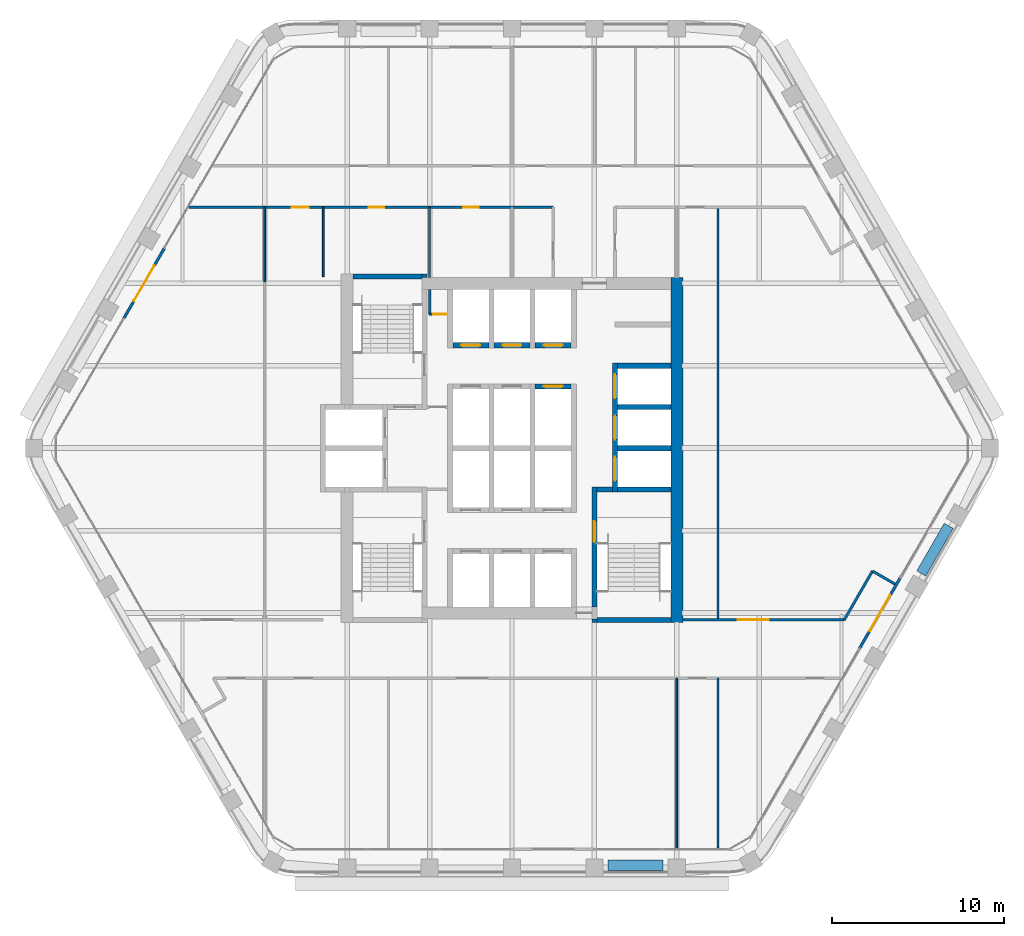
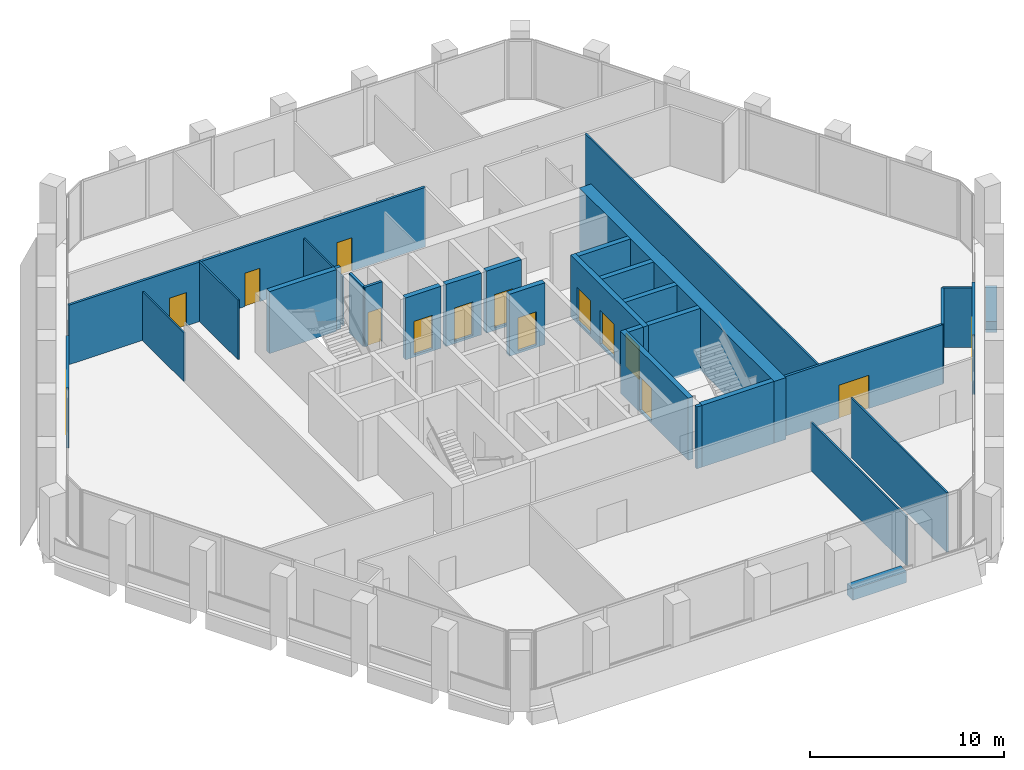
# One storey, part 10 of 15: 32 walls, 15 doors, 15 openings.
"""IFC4 building model written with IfcOpenShell, lengths in metres."""

from ifc_helpers import new_model, si_unit, direction, frame, frame_2d, origin, place, context, subcontext, project, spatial, rectangle, extrude, material, layer, layer_set, type_object, element, fill, save


model = new_model("IFC4")

# Units and contexts
model_context = context("Model", 3, precision=1e-05, world=origin(), true_north=direction((0.0, 1.0)))
body_context = subcontext(model_context, "Body", "Model", "MODEL_VIEW")
ifc_project = project(units=[si_unit("LENGTHUNIT", "METRE"), si_unit("AREAUNIT", "SQUARE_METRE"), si_unit("VOLUMEUNIT", "CUBIC_METRE"), si_unit("PLANEANGLEUNIT", "RADIAN"), si_unit("MASSUNIT", "GRAM", prefix="KILO")], contexts=[model_context])

# Site, building, storey
site_placement = place(None, origin())
site = spatial("IfcSite", under=ifc_project, at=site_placement, CompositionType="ELEMENT")
building_placement = place(site_placement, origin())
building = spatial("IfcBuilding", under=site, at=building_placement, Name="Kolab Exchange Tower", CompositionType="ELEMENT")
storey_placement = place(building_placement, frame((0.0, 0.0, 158.300048828125)))
storey = spatial("IfcBuildingStorey", under=building, at=storey_placement, Name="L32", CompositionType="ELEMENT", Elevation=158.300048828125)

# Wall
ifc_material_1 = material(Name="Concrete C60/75", Category="concrete")
ifc_layer_1 = layer(ifc_material_1, 0.699951171875)
ifc_layer_set_1 = layer_set([ifc_layer_1], Name="Concrete C60/75")
wall_type_1 = type_object("IfcWallType", Name="CORE WALL 700 C60/75", PredefinedType="SHEAR", material=ifc_layer_set_1)
wall_1_placement = place(storey_placement, frame((9.60009765625, -10.14990234375, -0.150146484375), z_axis=(0.0, 0.0, 1.0), x_axis=(0.0, 1.0, 0.0)))
element("IfcWall", 1, at=wall_1_placement, inside=storey, type_object=wall_type_1, Name="wall/L32/core/058", PredefinedType="SHEAR", context=body_context, shape_type="SweptSolid", body=[
    extrude(rectangle(XDim=20.099853515625, YDim=0.699951171875, at=frame_2d((10.0498046875, 0.0))), origin(), (0.0, 0.0, 1.0), 3.900146484375),
])

# Wall, opening, door
ifc_material_2 = material(Name="Aluminium EN AW-6063 T6", Category="aluminium")
ifc_layer_2 = layer(ifc_material_2, 0.159912109375)
ifc_layer_set_2 = layer_set([ifc_layer_2], Name="Aluminium EN AW-6063 T6")
wall_type_2 = type_object("IfcWallType", Name="DOOR SURROUND WALL 160 ALUMINIUM FRAMED", PredefinedType="PARTITIONING", material=ifc_layer_set_2)
wall_2_placement = place(storey_placement, frame((22.61669921875, -7.5498046875, 0.0), z_axis=(0.0, 0.0, 1.0), x_axis=(-0.5000167099, -0.866015756104, 0.0)))
wall_2 = element("IfcWall", 2, at=wall_2_placement, inside=storey, type_object=wall_type_2, Name="Door surround wall", PredefinedType="PARTITIONING", context=body_context, shape_type="SweptSolid", body=[
    extrude(rectangle(XDim=4.739990234375, YDim=0.159912109375, at=frame_2d((2.3701171875, 0.0))), origin(), (0.0, 0.0, 1.0), 3.75),
])
opening_1_placement = place(wall_2_placement, frame((1.169921875, 0.0, 0.0)))
opening_1 = element("IfcOpeningElement", 3, at=opening_1_placement, cuts=wall_2, Name="Opening GD1-066", PredefinedType="OPENING", context=body_context, shape_type="SweptSolid", body=[
    extrude(rectangle(XDim=2.39990234375, YDim=2.39990234375, at=frame_2d((1.199951171875, 1.199951171875))), frame((0.0, 0.08984375, 0.0), z_axis=(0.0, -1.0, 0.0), x_axis=(1.0, 0.0, 0.0)), (0.0, 0.0, 1.0), 0.179931640625),
])
door_type_1 = type_object("IfcDoorType", Name="LOGGIA SLIDING GLASS DOOR 2400 X 2400", OperationType="DOUBLE_DOOR_SINGLE_SWING", PredefinedType="DOOR", material=ifc_material_2)
door_1_placement = place(opening_1_placement, origin())
door_1 = element("IfcDoor", 4, at=door_1_placement, inside=storey, type_object=door_type_1, Name="Loggia door", OperationType="DOUBLE_DOOR_SLIDING", OverallHeight=2.39990234375, OverallWidth=2.39990234375, PredefinedType="DOOR", context=body_context, shape_type="SweptSolid", body=[
    extrude(rectangle(XDim=2.39990234375, YDim=2.39990234375, at=frame_2d((1.199951171875, 1.199951171875))), frame((0.0, 0.02490234375, 0.0), z_axis=(0.0, -1.0, 0.0), x_axis=(1.0, 0.0, 0.0)), (0.0, 0.0, 1.0), 0.050048828125),
])
fill(opening_1, door_1)

wall_3_placement = place(storey_placement, frame((-22.61669921875, 7.5498046875, 0.0), z_axis=(0.0, 0.0, 1.0), x_axis=(0.5000167099, 0.866015756104, 0.0)))
wall_3 = element("IfcWall", 5, at=wall_3_placement, inside=storey, type_object=wall_type_2, Name="Door surround wall", PredefinedType="PARTITIONING", context=body_context, shape_type="SweptSolid", body=[
    extrude(rectangle(XDim=4.739990234375, YDim=0.159912109375, at=frame_2d((2.3701171875, 0.0))), origin(), (0.0, 0.0, 1.0), 3.75),
])
opening_2_placement = place(wall_3_placement, frame((1.169921875, 0.0, 0.0)))
opening_2 = element("IfcOpeningElement", 6, at=opening_2_placement, cuts=wall_3, Name="Opening GD1-069", PredefinedType="OPENING", context=body_context, shape_type="SweptSolid", body=[
    extrude(rectangle(XDim=2.39990234375, YDim=2.39990234375, at=frame_2d((1.199951171875, 1.199951171875))), frame((0.0, 0.08984375, 0.0), z_axis=(0.0, -1.0, 0.0), x_axis=(1.0, 0.0, 0.0)), (0.0, 0.0, 1.0), 0.179931640625),
])
door_2_placement = place(opening_2_placement, origin())
door_2 = element("IfcDoor", 7, at=door_2_placement, inside=storey, type_object=door_type_1, Name="Loggia door", OperationType="DOUBLE_DOOR_SLIDING", OverallHeight=2.39990234375, OverallWidth=2.39990234375, PredefinedType="DOOR", context=body_context, shape_type="SweptSolid", body=[
    extrude(rectangle(XDim=2.39990234375, YDim=2.39990234375, at=frame_2d((1.199951171875, 1.199951171875))), frame((0.0, 0.02490234375, 0.0), z_axis=(0.0, -1.0, 0.0), x_axis=(1.0, 0.0, 0.0)), (0.0, 0.0, 1.0), 0.050048828125),
])
fill(opening_2, door_2)

# Walls
ifc_material_3 = material(Name="Concrete C50/60", Category="concrete")
ifc_layer_3 = layer(ifc_material_3, 0.300048828125)
ifc_layer_set_3 = layer_set([ifc_layer_3], Name="Concrete C50/60")
wall_type_3 = type_object("IfcWallType", Name="LIFT SHAFT WALL 300 C50/60", PredefinedType="STANDARD", material=ifc_layer_set_3)
for number, where, z_axis, x_axis, name in (
    (8, (6.14990234375, 0.0, -0.150146484375), (0.0, 0.0, 1.0), (1.0, 0.0, 0.0), "wall/L32/core/018"),
    (9, (6.14990234375, 2.39990234375, -0.150146484375), (0.0, 0.0, 1.0), (1.0, 0.0, 0.0), "wall/L32/core/022"),
):
    element("IfcWall", number, at=place(storey_placement, frame(where, z_axis=z_axis, x_axis=x_axis)), inside=storey, type_object=wall_type_3, Name=name, PredefinedType="STANDARD", context=body_context, shape_type="SweptSolid", body=[
        extrude(rectangle(XDim=3.10009765625, YDim=0.300048828125, at=frame_2d((1.550048828125, 0.0))), origin(), (0.0, 0.0, 1.0), 3.900146484375),
    ])

# Wall, opening, door
wall_4_placement = place(storey_placement, frame((1.35009765625, 3.60009765625, -0.150146484375), z_axis=(0.0, 0.0, 1.0), x_axis=(1.0, 0.0, 0.0)))
wall_4 = element("IfcWall", 10, at=wall_4_placement, inside=storey, type_object=wall_type_3, Name="wall/L32/core/025", PredefinedType="STANDARD", context=body_context, shape_type="SweptSolid", body=[
    extrude(rectangle(XDim=2.099853515625, YDim=0.300048828125, at=frame_2d((1.0498046875, 0.0))), origin(), (0.0, 0.0, 1.0), 3.900146484375),
])
opening_3_placement = place(wall_4_placement, frame((0.5, 0.0, 0.14990234375)))
opening_3 = element("IfcOpeningElement", 11, at=opening_3_placement, cuts=wall_4, Name="Opening LD1-117", PredefinedType="OPENING", context=body_context, shape_type="SweptSolid", body=[
    extrude(rectangle(XDim=1.10009765625, YDim=2.10009765625, at=frame_2d((0.550048828125, 1.050048828125))), frame((0.0, 0.16015625, 0.0), z_axis=(0.0, -1.0, 0.0), x_axis=(1.0, 0.0, 0.0)), (0.0, 0.0, 1.0), 0.320068359375),
])
ifc_material_4 = material(Name="Stainless steel 316", Category="steel")
door_type_2 = type_object("IfcDoorType", Name="LANDING DOOR 1100 PASSENGER", OperationType="DOUBLE_DOOR_SLIDING", PredefinedType="DOOR", material=ifc_material_4)
door_3_placement = place(opening_3_placement, origin())
door_3 = element("IfcDoor", 12, at=door_3_placement, inside=storey, type_object=door_type_2, Name="Landing door HR6", OperationType="DOUBLE_DOOR_SLIDING", OverallHeight=2.10009765625, OverallWidth=1.10009765625, PredefinedType="DOOR", context=body_context, shape_type="SweptSolid", body=[
    extrude(rectangle(XDim=1.10009765625, YDim=2.10009765625, at=frame_2d((0.550048828125, 1.050048828125))), frame((0.0, 0.02490234375, 0.0), z_axis=(0.0, -1.0, 0.0), x_axis=(1.0, 0.0, 0.0)), (0.0, 0.0, 1.0), 0.050048828125),
])
fill(opening_3, door_3)

# Wall
wall_5_placement = place(storey_placement, frame((6.14990234375, 4.800048828125, -0.150146484375), z_axis=(0.0, 0.0, 1.0), x_axis=(1.0, 0.0, 0.0)))
element("IfcWall", 13, at=wall_5_placement, inside=storey, type_object=wall_type_3, Name="wall/L32/core/026", PredefinedType="STANDARD", context=body_context, shape_type="SweptSolid", body=[
    extrude(rectangle(XDim=3.10009765625, YDim=0.300048828125, at=frame_2d((1.550048828125, 0.0))), origin(), (0.0, 0.0, 1.0), 3.900146484375),
])

# Wall, opening, door
wall_6_placement = place(storey_placement, frame((-3.449951171875, 6.0, -0.150146484375), z_axis=(0.0, 0.0, 1.0), x_axis=(1.0, 0.0, 0.0)))
wall_6 = element("IfcWall", 14, at=wall_6_placement, inside=storey, type_object=wall_type_3, Name="wall/L32/core/027", PredefinedType="STANDARD", context=body_context, shape_type="SweptSolid", body=[
    extrude(rectangle(XDim=2.099853515625, YDim=0.300048828125, at=frame_2d((1.0498046875, 0.0))), origin(), (0.0, 0.0, 1.0), 3.900146484375),
])
opening_4_placement = place(wall_6_placement, frame((0.5, 0.0, 0.14990234375)))
opening_4 = element("IfcOpeningElement", 15, at=opening_4_placement, cuts=wall_6, Name="Opening LD1-109", PredefinedType="OPENING", context=body_context, shape_type="SweptSolid", body=[
    extrude(rectangle(XDim=1.10009765625, YDim=2.10009765625, at=frame_2d((0.550048828125, 1.050048828125))), frame((0.0, 0.16015625, 0.0), z_axis=(0.0, -1.0, 0.0), x_axis=(1.0, 0.0, 0.0)), (0.0, 0.0, 1.0), 0.320068359375),
])
door_4_placement = place(opening_4_placement, origin())
door_4 = element("IfcDoor", 16, at=door_4_placement, inside=storey, type_object=door_type_2, Name="Landing door HR1", OperationType="DOUBLE_DOOR_SLIDING", OverallHeight=2.10009765625, OverallWidth=1.10009765625, PredefinedType="DOOR", context=body_context, shape_type="SweptSolid", body=[
    extrude(rectangle(XDim=1.10009765625, YDim=2.10009765625, at=frame_2d((0.550048828125, 1.050048828125))), frame((0.0, 0.02490234375, 0.0), z_axis=(0.0, -1.0, 0.0), x_axis=(1.0, 0.0, 0.0)), (0.0, 0.0, 1.0), 0.050048828125),
])
fill(opening_4, door_4)

wall_7_placement = place(storey_placement, frame((-1.050048828125, 6.0, -0.150146484375), z_axis=(0.0, 0.0, 1.0), x_axis=(1.0, 0.0, 0.0)))
wall_7 = element("IfcWall", 17, at=wall_7_placement, inside=storey, type_object=wall_type_3, Name="wall/L32/core/028", PredefinedType="STANDARD", context=body_context, shape_type="SweptSolid", body=[
    extrude(rectangle(XDim=2.10009765625, YDim=0.300048828125, at=frame_2d((1.050048828125, 0.0))), origin(), (0.0, 0.0, 1.0), 3.900146484375),
])
opening_5_placement = place(wall_7_placement, frame((0.5, 0.0, 0.14990234375)))
opening_5 = element("IfcOpeningElement", 18, at=opening_5_placement, cuts=wall_7, Name="Opening LD1-113", PredefinedType="OPENING", context=body_context, shape_type="SweptSolid", body=[
    extrude(rectangle(XDim=1.10009765625, YDim=2.10009765625, at=frame_2d((0.550048828125, 1.050048828125))), frame((0.0, 0.16015625, 0.0), z_axis=(0.0, -1.0, 0.0), x_axis=(1.0, 0.0, 0.0)), (0.0, 0.0, 1.0), 0.320068359375),
])
door_5_placement = place(opening_5_placement, origin())
door_5 = element("IfcDoor", 19, at=door_5_placement, inside=storey, type_object=door_type_2, Name="Landing door HR2", OperationType="DOUBLE_DOOR_SLIDING", OverallHeight=2.10009765625, OverallWidth=1.10009765625, PredefinedType="DOOR", context=body_context, shape_type="SweptSolid", body=[
    extrude(rectangle(XDim=1.10009765625, YDim=2.10009765625, at=frame_2d((0.550048828125, 1.050048828125))), frame((0.0, 0.02490234375, 0.0), z_axis=(0.0, -1.0, 0.0), x_axis=(1.0, 0.0, 0.0)), (0.0, 0.0, 1.0), 0.050048828125),
])
fill(opening_5, door_5)

wall_8_placement = place(storey_placement, frame((1.35009765625, 6.0, -0.150146484375), z_axis=(0.0, 0.0, 1.0), x_axis=(1.0, 0.0, 0.0)))
wall_8 = element("IfcWall", 20, at=wall_8_placement, inside=storey, type_object=wall_type_3, Name="wall/L32/core/029", PredefinedType="STANDARD", context=body_context, shape_type="SweptSolid", body=[
    extrude(rectangle(XDim=2.099853515625, YDim=0.300048828125, at=frame_2d((1.0498046875, 0.0))), origin(), (0.0, 0.0, 1.0), 3.900146484375),
])
opening_6_placement = place(wall_8_placement, frame((0.5, 0.0, 0.14990234375)))
opening_6 = element("IfcOpeningElement", 21, at=opening_6_placement, cuts=wall_8, Name="Opening LD1-114", PredefinedType="OPENING", context=body_context, shape_type="SweptSolid", body=[
    extrude(rectangle(XDim=1.10009765625, YDim=2.10009765625, at=frame_2d((0.550048828125, 1.050048828125))), frame((0.0, 0.16015625, 0.0), z_axis=(0.0, -1.0, 0.0), x_axis=(1.0, 0.0, 0.0)), (0.0, 0.0, 1.0), 0.320068359375),
])
door_6_placement = place(opening_6_placement, origin())
door_6 = element("IfcDoor", 22, at=door_6_placement, inside=storey, type_object=door_type_2, Name="Landing door HR3", OperationType="DOUBLE_DOOR_SLIDING", OverallHeight=2.10009765625, OverallWidth=1.10009765625, PredefinedType="DOOR", context=body_context, shape_type="SweptSolid", body=[
    extrude(rectangle(XDim=1.10009765625, YDim=2.10009765625, at=frame_2d((0.550048828125, 1.050048828125))), frame((0.0, 0.02490234375, 0.0), z_axis=(0.0, -1.0, 0.0), x_axis=(1.0, 0.0, 0.0)), (0.0, 0.0, 1.0), 0.050048828125),
])
fill(opening_6, door_6)

# Wall, openings, doors
wall_9_placement = place(storey_placement, frame((6.0, -2.550048828125, -0.150146484375), z_axis=(0.0, 0.0, 1.0), x_axis=(0.0, 1.0, 0.0)))
wall_9 = element("IfcWall", 23, at=wall_9_placement, inside=storey, type_object=wall_type_3, Name="wall/L32/core/057", PredefinedType="STANDARD", context=body_context, shape_type="SweptSolid", body=[
    extrude(rectangle(XDim=7.5, YDim=0.300048828125, at=frame_2d((3.75, 0.0))), origin(), (0.0, 0.0, 1.0), 3.900146484375),
])
opening_7_placement = place(wall_9_placement, frame((0.64990234375, 0.0, 0.14990234375)))
opening_7 = element("IfcOpeningElement", 24, at=opening_7_placement, cuts=wall_9, Name="Opening LD3-037", PredefinedType="OPENING", context=body_context, shape_type="SweptSolid", body=[
    extrude(rectangle(XDim=1.39990234375, YDim=2.10009765625, at=frame_2d((0.699951171875, 1.050048828125))), frame((0.0, 0.16015625, 0.0), z_axis=(0.0, -1.0, 0.0), x_axis=(1.0, 0.0, 0.0)), (0.0, 0.0, 1.0), 0.320068359375),
])
opening_8_placement = place(wall_9_placement, frame((3.050048828125, 0.0, 0.14990234375)))
opening_8 = element("IfcOpeningElement", 25, at=opening_8_placement, cuts=wall_9, Name="Opening LD3-038", PredefinedType="OPENING", context=body_context, shape_type="SweptSolid", body=[
    extrude(rectangle(XDim=1.39990234375, YDim=2.10009765625, at=frame_2d((0.699951171875, 1.050048828125))), frame((0.0, 0.16015625, 0.0), z_axis=(0.0, -1.0, 0.0), x_axis=(1.0, 0.0, 0.0)), (0.0, 0.0, 1.0), 0.320068359375),
])
opening_9_placement = place(wall_9_placement, frame((5.449951171875, 0.0, 0.14990234375)))
opening_9 = element("IfcOpeningElement", 26, at=opening_9_placement, cuts=wall_9, Name="Opening LD3-039", PredefinedType="OPENING", context=body_context, shape_type="SweptSolid", body=[
    extrude(rectangle(XDim=1.39990234375, YDim=2.10009765625, at=frame_2d((0.699951171875, 1.050048828125))), frame((0.0, 0.16015625, 0.0), z_axis=(0.0, -1.0, 0.0), x_axis=(1.0, 0.0, 0.0)), (0.0, 0.0, 1.0), 0.320068359375),
])
door_type_3 = type_object("IfcDoorType", Name="LANDING DOOR 1400 SERVICE", OperationType="DOUBLE_DOOR_SLIDING", PredefinedType="DOOR", material=ifc_material_4)
door_7_placement = place(opening_7_placement, origin())
door_7 = element("IfcDoor", 27, at=door_7_placement, inside=storey, type_object=door_type_3, Name="Landing door SV1", OperationType="DOUBLE_DOOR_SLIDING", OverallHeight=2.10009765625, OverallWidth=1.39990234375, PredefinedType="DOOR", context=body_context, shape_type="SweptSolid", body=[
    extrude(rectangle(XDim=1.39990234375, YDim=2.10009765625, at=frame_2d((0.699951171875, 1.050048828125))), frame((0.0, 0.02490234375, 0.0), z_axis=(0.0, -1.0, 0.0), x_axis=(1.0, 0.0, 0.0)), (0.0, 0.0, 1.0), 0.050048828125),
])
fill(opening_7, door_7)
door_8_placement = place(opening_8_placement, origin())
door_8 = element("IfcDoor", 28, at=door_8_placement, inside=storey, type_object=door_type_3, Name="Landing door SV2", OperationType="DOUBLE_DOOR_SLIDING", OverallHeight=2.10009765625, OverallWidth=1.39990234375, PredefinedType="DOOR", context=body_context, shape_type="SweptSolid", body=[
    extrude(rectangle(XDim=1.39990234375, YDim=2.10009765625, at=frame_2d((0.699951171875, 1.050048828125))), frame((0.0, 0.02490234375, 0.0), z_axis=(0.0, -1.0, 0.0), x_axis=(1.0, 0.0, 0.0)), (0.0, 0.0, 1.0), 0.050048828125),
])
fill(opening_8, door_8)
door_9_placement = place(opening_9_placement, origin())
door_9 = element("IfcDoor", 29, at=door_9_placement, inside=storey, type_object=door_type_3, Name="Landing door SV3", OperationType="DOUBLE_DOOR_SLIDING", OverallHeight=2.10009765625, OverallWidth=1.39990234375, PredefinedType="DOOR", context=body_context, shape_type="SweptSolid", body=[
    extrude(rectangle(XDim=1.39990234375, YDim=2.10009765625, at=frame_2d((0.699951171875, 1.050048828125))), frame((0.0, 0.02490234375, 0.0), z_axis=(0.0, -1.0, 0.0), x_axis=(1.0, 0.0, 0.0)), (0.0, 0.0, 1.0), 0.050048828125),
])
fill(opening_9, door_9)

# Walls
ifc_material_5 = material(Name="Gypsum board", Category="gypsum")
ifc_layer_4 = layer(ifc_material_5, 0.10009765625)
ifc_layer_set_4 = layer_set([ifc_layer_4], Name="Gypsum board")
wall_type_4 = type_object("IfcWallType", Name="PARTITION 100", PredefinedType="PARTITIONING", material=ifc_layer_set_4)
wall_10_placement = place(storey_placement, frame((12.0, -23.271484375, 0.0), z_axis=(0.0, 0.0, 1.0), x_axis=(0.0, 1.0, 0.0)))
element("IfcWall", 30, at=wall_10_placement, inside=storey, type_object=wall_type_4, Name="Partition 000", PredefinedType="PARTITIONING", context=body_context, shape_type="SweptSolid", body=[
    extrude(rectangle(XDim=9.87158203125, YDim=0.10009765625, at=frame_2d((4.935791015625, 0.0))), origin(), (0.0, 0.0, 1.0), 3.75),
])
wall_11_placement = place(storey_placement, frame((12.0, -10.0, 0.0), z_axis=(0.0, 0.0, 1.0), x_axis=(0.0, 1.0, 0.0)))
element("IfcWall", 31, at=wall_11_placement, inside=storey, type_object=wall_type_4, Name="Partition 001", PredefinedType="PARTITIONING", context=body_context, shape_type="SweptSolid", body=[
    extrude(rectangle(XDim=24.04150390625, YDim=0.10009765625, at=frame_2d((12.020751953125, 0.0))), origin(), (0.0, 0.0, 1.0), 3.75),
])
wall_12_placement = place(storey_placement, frame((9.60009765625, -23.271484375, 0.0), z_axis=(0.0, 0.0, 1.0), x_axis=(0.0, 1.0, 0.0)))
element("IfcWall", 32, at=wall_12_placement, inside=storey, type_object=wall_type_4, Name="Partition 002", PredefinedType="PARTITIONING", context=body_context, shape_type="SweptSolid", body=[
    extrude(rectangle(XDim=9.87158203125, YDim=0.10009765625, at=frame_2d((4.935791015625, 0.0))), origin(), (0.0, 0.0, 1.0), 3.06591796875),
])
wall_13_placement = place(storey_placement, frame((-4.800048828125, 9.949951171875, 0.0), z_axis=(0.0, 0.0, 1.0), x_axis=(0.0, 1.0, 0.0)))
element("IfcWall", 33, at=wall_13_placement, inside=storey, type_object=wall_type_4, Name="Partition 010", PredefinedType="PARTITIONING", context=body_context, shape_type="SweptSolid", body=[
    extrude(rectangle(XDim=4.091552734375, YDim=0.10009765625, at=frame_2d((2.0458984375, 0.0))), origin(), (0.0, 0.0, 1.0), 3.06591796875),
])
wall_14_placement = place(storey_placement, frame((-11.0, 10.0, 0.0), z_axis=(0.0, 0.0, 1.0), x_axis=(0.0, 1.0, 0.0)))
element("IfcWall", 34, at=wall_14_placement, inside=storey, type_object=wall_type_4, Name="Partition 014", PredefinedType="PARTITIONING", context=body_context, shape_type="SweptSolid", body=[
    extrude(rectangle(XDim=4.04150390625, YDim=0.10009765625, at=frame_2d((2.020751953125, 0.0))), origin(), (0.0, 0.0, 1.0), 3.75),
])
wall_15_placement = place(storey_placement, frame((-14.39990234375, 9.693603515625, 0.0), z_axis=(0.0, 0.0, 1.0), x_axis=(0.0, 1.0, 0.0)))
element("IfcWall", 35, at=wall_15_placement, inside=storey, type_object=wall_type_4, Name="Partition 016", PredefinedType="PARTITIONING", context=body_context, shape_type="SweptSolid", body=[
    extrude(rectangle(XDim=4.347900390625, YDim=0.10009765625, at=frame_2d((2.173828125, 0.0))), origin(), (0.0, 0.0, 1.0), 3.06591796875),
])
ifc_layer_5 = layer(ifc_material_5, 0.14990234375)
ifc_layer_set_5 = layer_set([ifc_layer_5], Name="Gypsum board")
wall_type_5 = type_object("IfcWallType", Name="PARTITION 150 FIRE-RATED", PredefinedType="PARTITIONING", material=ifc_layer_set_5)
wall_16_placement = place(storey_placement, frame((-4.800048828125, 7.800048828125, 0.0), z_axis=(0.0, 0.0, 1.0), x_axis=(0.0, 1.0, 0.0)))
element("IfcWall", 36, at=wall_16_placement, inside=storey, type_object=wall_type_5, Name="Partition 011", PredefinedType="PARTITIONING", context=body_context, shape_type="SweptSolid", body=[
    extrude(rectangle(XDim=1.449951171875, YDim=0.14990234375, at=frame_2d((0.72509765625, 0.0))), origin(), (0.0, 0.0, 1.0), 3.75),
])
wall_17_placement = place(storey_placement, frame((19.3544921875, -10.0, 0.0), z_axis=(0.0, 0.0, 1.0), x_axis=(0.500009969958, 0.86601964755, 0.0)))
element("IfcWall", 37, at=wall_17_placement, inside=storey, type_object=wall_type_5, Name="Partition 019", PredefinedType="PARTITIONING", context=body_context, shape_type="SweptSolid", body=[
    extrude(rectangle(XDim=3.283203125, YDim=0.14990234375, at=frame_2d((1.6416015625, 0.0))), origin(), (0.0, 0.0, 1.0), 3.75),
])
wall_18_placement = place(storey_placement, frame((20.99609375, -7.15673828125, 0.0), z_axis=(0.0, 0.0, 1.0), x_axis=(0.865960906633, -0.500111695708, 0.0)))
element("IfcWall", 38, at=wall_18_placement, inside=storey, type_object=wall_type_5, Name="Partition 020", PredefinedType="PARTITIONING", context=body_context, shape_type="SweptSolid", body=[
    extrude(rectangle(XDim=1.520263671875, YDim=0.14990234375, at=frame_2d((0.76025390625, 0.0))), origin(), (0.0, 0.0, 1.0), 3.75),
])

# Wall, opening, door
wall_19_placement = place(storey_placement, frame((9.949951171875, -10.0, 0.0), z_axis=(0.0, 0.0, 1.0), x_axis=(1.0, 0.0, 0.0)))
wall_19 = element("IfcWall", 39, at=wall_19_placement, inside=storey, type_object=wall_type_5, Name="Partition 025", PredefinedType="PARTITIONING", context=body_context, shape_type="SweptSolid", body=[
    extrude(rectangle(XDim=9.404541015625, YDim=0.14990234375, at=frame_2d((4.7021484375, 0.0))), origin(), (0.0, 0.0, 1.0), 3.75),
])
opening_10_placement = place(wall_19_placement, frame((3.1982421875, 0.0, 0.0)))
opening_10 = element("IfcOpeningElement", 40, at=opening_10_placement, cuts=wall_19, Name="Opening D2-046", PredefinedType="OPENING", context=body_context, shape_type="SweptSolid", body=[
    extrude(rectangle(XDim=1.800048828125, YDim=2.10009765625, at=frame_2d((0.89990234375, 1.050048828125))), frame((0.0, 0.0849609375, 0.0), z_axis=(0.0, -1.0, 0.0), x_axis=(1.0, 0.0, 0.0)), (0.0, 0.0, 1.0), 0.169921875),
])
ifc_material_6 = material(Name="Steel S235", Category="steel")
door_type_4 = type_object("IfcDoorType", Name="DOUBLE DOOR 1800 FD60", OperationType="DOUBLE_DOOR_SINGLE_SWING", PredefinedType="DOOR", material=ifc_material_6)
door_10_placement = place(opening_10_placement, origin())
door_10 = element("IfcDoor", 41, at=door_10_placement, inside=storey, type_object=door_type_4, Name="Door L32-044", OperationType="SINGLE_SWING_LEFT", OverallHeight=2.10009765625, OverallWidth=1.800048828125, PredefinedType="DOOR", context=body_context, shape_type="SweptSolid", body=[
    extrude(rectangle(XDim=1.800048828125, YDim=2.10009765625, at=frame_2d((0.89990234375, 1.050048828125))), frame((0.0, 0.02490234375, 0.0), z_axis=(0.0, -1.0, 0.0), x_axis=(1.0, 0.0, 0.0)), (0.0, 0.0, 1.0), 0.050048828125),
])
fill(opening_10, door_10)

wall_20_placement = place(storey_placement, frame((-4.800048828125, 7.800048828125, 0.0), z_axis=(0.0, 0.0, 1.0), x_axis=(1.0, 0.0, 0.0)))
wall_20 = element("IfcWall", 42, at=wall_20_placement, inside=storey, type_object=wall_type_5, Name="Partition 026", PredefinedType="PARTITIONING", context=body_context, shape_type="SweptSolid", body=[
    extrude(rectangle(XDim=1.050048828125, YDim=0.14990234375, at=frame_2d((0.52490234375, 0.0))), origin(), (0.0, 0.0, 1.0), 3.75),
])
opening_11_placement = place(wall_20_placement, frame((0.199951171875, 0.0, 0.0)))
opening_11 = element("IfcOpeningElement", 43, at=opening_11_placement, cuts=wall_20, Name="Opening D7-030", PredefinedType="OPENING", context=body_context, shape_type="SweptSolid", body=[
    extrude(rectangle(XDim=0.800048828125, YDim=2.10009765625, at=frame_2d((0.39990234375, 1.050048828125))), frame((0.0, 0.0849609375, 0.0), z_axis=(0.0, -1.0, 0.0), x_axis=(1.0, 0.0, 0.0)), (0.0, 0.0, 1.0), 0.169921875),
])
door_type_5 = type_object("IfcDoorType", Name="FLUSH DOOR 800 FD60", OperationType="SINGLE_SWING_LEFT", PredefinedType="DOOR", material=ifc_material_6)
door_11_placement = place(opening_11_placement, origin())
door_11 = element("IfcDoor", 44, at=door_11_placement, inside=storey, type_object=door_type_5, Name="Door L32-023", OperationType="SINGLE_SWING_RIGHT", OverallHeight=2.10009765625, OverallWidth=0.800048828125, PredefinedType="DOOR", context=body_context, shape_type="SweptSolid", body=[
    extrude(rectangle(XDim=0.800048828125, YDim=2.10009765625, at=frame_2d((0.39990234375, 1.050048828125))), frame((0.0, 0.02490234375, 0.0), z_axis=(0.0, -1.0, 0.0), x_axis=(1.0, 0.0, 0.0)), (0.0, 0.0, 1.0), 0.050048828125),
])
fill(opening_11, door_11)

# Wall, openings, doors
wall_21_placement = place(storey_placement, frame((-18.822509765625, 14.04150390625, 0.0), z_axis=(0.0, 0.0, 1.0), x_axis=(1.0, 0.0, 0.0)))
wall_21 = element("IfcWall", 45, at=wall_21_placement, inside=storey, type_object=wall_type_5, Name="Partition 027", PredefinedType="PARTITIONING", context=body_context, shape_type="SweptSolid", body=[
    extrude(rectangle(XDim=21.222412109375, YDim=0.14990234375, at=frame_2d((10.611328125, 0.0))), origin(), (0.0, 0.0, 1.0), 3.75),
])
opening_12_placement = place(wall_21_placement, frame((10.472412109375, 0.0, 0.0)))
opening_12 = element("IfcOpeningElement", 46, at=opening_12_placement, cuts=wall_21, Name="Opening D3-046", PredefinedType="OPENING", context=body_context, shape_type="SweptSolid", body=[
    extrude(rectangle(XDim=0.89990234375, YDim=2.10009765625, at=frame_2d((0.449951171875, 1.050048828125))), frame((0.0, 0.0849609375, 0.0), z_axis=(0.0, -1.0, 0.0), x_axis=(1.0, 0.0, 0.0)), (0.0, 0.0, 1.0), 0.169921875),
])
opening_13_placement = place(wall_21_placement, frame((15.972412109375, 0.0, 0.0)))
opening_13 = element("IfcOpeningElement", 47, at=opening_13_placement, cuts=wall_21, Name="Opening D3-047", PredefinedType="OPENING", context=body_context, shape_type="SweptSolid", body=[
    extrude(rectangle(XDim=0.89990234375, YDim=2.10009765625, at=frame_2d((0.449951171875, 1.050048828125))), frame((0.0, 0.0849609375, 0.0), z_axis=(0.0, -1.0, 0.0), x_axis=(1.0, 0.0, 0.0)), (0.0, 0.0, 1.0), 0.169921875),
])
opening_14_placement = place(wall_21_placement, frame((5.99755859375, 0.0, 0.0)))
opening_14 = element("IfcOpeningElement", 48, at=opening_14_placement, cuts=wall_21, Name="Opening D1-458", PredefinedType="OPENING", context=body_context, shape_type="SweptSolid", body=[
    extrude(rectangle(XDim=1.0, YDim=2.10009765625, at=frame_2d((0.5, 1.050048828125))), frame((0.0, 0.0849609375, 0.0), z_axis=(0.0, -1.0, 0.0), x_axis=(1.0, 0.0, 0.0)), (0.0, 0.0, 1.0), 0.169921875),
])
door_type_6 = type_object("IfcDoorType", Name="FLUSH DOOR 1000 FD60", OperationType="SINGLE_SWING_LEFT", PredefinedType="DOOR", material=ifc_material_6)
door_12_placement = place(opening_14_placement, frame((1.0, 0.0, 0.0), z_axis=(0.0, 0.0, 1.0), x_axis=(-1.0, 0.0, 0.0)))
door_12 = element("IfcDoor", 49, at=door_12_placement, inside=storey, type_object=door_type_6, Name="Door L32-046", OperationType="SINGLE_SWING_RIGHT", OverallHeight=2.10009765625, OverallWidth=1.0, PredefinedType="DOOR", context=body_context, shape_type="SweptSolid", body=[
    extrude(rectangle(XDim=1.0, YDim=2.10009765625, at=frame_2d((0.5, 1.050048828125))), frame((0.0, 0.02490234375, 0.0), z_axis=(0.0, -1.0, 0.0), x_axis=(1.0, 0.0, 0.0)), (0.0, 0.0, 1.0), 0.050048828125),
])
fill(opening_14, door_12)
door_type_7 = type_object("IfcDoorType", Name="FLUSH DOOR 900 FD60", OperationType="SINGLE_SWING_LEFT", PredefinedType="DOOR", material=ifc_material_6)
door_13_placement = place(opening_12_placement, frame((0.89990234375, 0.0, 0.0), z_axis=(0.0, 0.0, 1.0), x_axis=(-1.0, 0.0, 0.0)))
door_13 = element("IfcDoor", 50, at=door_13_placement, inside=storey, type_object=door_type_7, Name="Door L32-030", OperationType="SINGLE_SWING_LEFT", OverallHeight=2.10009765625, OverallWidth=0.89990234375, PredefinedType="DOOR", context=body_context, shape_type="SweptSolid", body=[
    extrude(rectangle(XDim=0.89990234375, YDim=2.10009765625, at=frame_2d((0.449951171875, 1.050048828125))), frame((0.0, 0.02490234375, 0.0), z_axis=(0.0, -1.0, 0.0), x_axis=(1.0, 0.0, 0.0)), (0.0, 0.0, 1.0), 0.050048828125),
])
fill(opening_12, door_13)
door_14_placement = place(opening_13_placement, frame((0.89990234375, 0.0, 0.0), z_axis=(0.0, 0.0, 1.0), x_axis=(-1.0, 0.0, 0.0)))
door_14 = element("IfcDoor", 51, at=door_14_placement, inside=storey, type_object=door_type_7, Name="Door L32-031", OperationType="SINGLE_SWING_LEFT", OverallHeight=2.10009765625, OverallWidth=0.89990234375, PredefinedType="DOOR", context=body_context, shape_type="SweptSolid", body=[
    extrude(rectangle(XDim=0.89990234375, YDim=2.10009765625, at=frame_2d((0.449951171875, 1.050048828125))), frame((0.0, 0.02490234375, 0.0), z_axis=(0.0, -1.0, 0.0), x_axis=(1.0, 0.0, 0.0)), (0.0, 0.0, 1.0), 0.050048828125),
])
fill(opening_13, door_14)

# Walls
ifc_material_7 = material(Name="Granite facing", Category="masonry")
ifc_layer_6 = layer(ifc_material_7, 0.0400390625)
ifc_material_8 = material(Name="Concrete C40/50 precast", Category="concrete")
ifc_layer_7 = layer(ifc_material_8, 0.56005859375)
ifc_layer_set_6 = layer_set([ifc_layer_6, ifc_layer_7], Name="Concrete C40/50 precast")
wall_type_6 = type_object("IfcWallType", Name="PLANTER BOX 600 X 700 SOIL DEPTH 550", PredefinedType="USERDEFINED", material=ifc_layer_set_6)
wall_22_placement = place(storey_placement, frame((25.43701171875, -4.524658203125, 0.0), z_axis=(0.0, 0.0, 1.0), x_axis=(-0.499938187974, -0.866061088033, 0.0)))
element("IfcWall", 52, at=wall_22_placement, inside=storey, type_object=wall_type_6, Name="Planter", ObjectType="PLANTER", PredefinedType="USERDEFINED", context=body_context, shape_type="SweptSolid", body=[
    extrude(rectangle(XDim=3.2001953125, YDim=0.60009765625, at=frame_2d((1.60009765625, 0.0))), origin(), (0.0, 0.0, 1.0), 0.699951171875),
])
wall_23_placement = place(storey_placement, frame((8.800048828125, -24.29150390625, 0.0), z_axis=(0.0, 0.0, 1.0), x_axis=(-1.0, 0.0, 0.0)))
element("IfcWall", 53, at=wall_23_placement, inside=storey, type_object=wall_type_6, Name="Planter", ObjectType="PLANTER", PredefinedType="USERDEFINED", context=body_context, shape_type="SweptSolid", body=[
    extrude(rectangle(XDim=3.199951171875, YDim=0.60009765625, at=frame_2d((1.60009765625, 0.0))), origin(), (0.0, 0.0, 1.0), 0.699951171875),
])
ifc_layer_8 = layer(ifc_material_3, 0.300048828125)
ifc_layer_set_7 = layer_set([ifc_layer_8], Name="Concrete C50/60")
wall_type_7 = type_object("IfcWallType", Name="STAIR ENCLOSURE WALL 300 C50/60", PredefinedType="STANDARD", material=ifc_layer_set_7)
wall_24_placement = place(storey_placement, frame((4.949951171875, -10.0, -0.150146484375), z_axis=(0.0, 0.0, 1.0), x_axis=(1.0, 0.0, 0.0)))
element("IfcWall", 54, at=wall_24_placement, inside=storey, type_object=wall_type_7, Name="wall/L32/core/001", PredefinedType="STANDARD", context=body_context, shape_type="SweptSolid", body=[
    extrude(rectangle(XDim=4.300048828125, YDim=0.300048828125, at=frame_2d((2.14990234375, 0.0))), origin(), (0.0, 0.0, 1.0), 3.900146484375),
])
wall_25_placement = place(storey_placement, frame((4.949951171875, -2.39990234375, -0.150146484375), z_axis=(0.0, 0.0, 1.0), x_axis=(1.0, 0.0, 0.0)))
element("IfcWall", 55, at=wall_25_placement, inside=storey, type_object=wall_type_7, Name="wall/L32/core/012", PredefinedType="STANDARD", context=body_context, shape_type="SweptSolid", body=[
    extrude(rectangle(XDim=0.900146484375, YDim=0.300048828125, at=frame_2d((0.4501953125, 0.0))), origin(), (0.0, 0.0, 1.0), 3.900146484375),
])
wall_26_placement = place(storey_placement, frame((6.14990234375, -2.39990234375, -0.150146484375), z_axis=(0.0, 0.0, 1.0), x_axis=(1.0, 0.0, 0.0)))
element("IfcWall", 56, at=wall_26_placement, inside=storey, type_object=wall_type_7, Name="wall/L32/core/013", PredefinedType="STANDARD", context=body_context, shape_type="SweptSolid", body=[
    extrude(rectangle(XDim=3.10009765625, YDim=0.300048828125, at=frame_2d((1.550048828125, 0.0))), origin(), (0.0, 0.0, 1.0), 3.900146484375),
])
wall_27_placement = place(storey_placement, frame((-9.25, 10.0, -0.150146484375), z_axis=(0.0, 0.0, 1.0), x_axis=(1.0, 0.0, 0.0)))
element("IfcWall", 57, at=wall_27_placement, inside=storey, type_object=wall_type_7, Name="wall/L32/core/032", PredefinedType="STANDARD", context=body_context, shape_type="SweptSolid", body=[
    extrude(rectangle(XDim=4.0, YDim=0.300048828125, at=frame_2d((2.0, 0.0))), origin(), (0.0, 0.0, 1.0), 3.900146484375),
])
for number, where, z_axis, x_axis, name in (
    (58, (-5.10009765625, 9.949951171875, -0.150146484375), (0.0, 0.0, 1.0), (0.0, 1.0, 0.0), "wall/L32/core/042"),
    (59, (4.800048828125, -10.14990234375, -0.150146484375), (0.0, 0.0, 1.0), (0.0, 1.0, 0.0), "wall/L32/core/055"),
):
    element("IfcWall", number, at=place(storey_placement, frame(where, z_axis=z_axis, x_axis=x_axis)), inside=storey, type_object=wall_type_7, Name=name, PredefinedType="STANDARD", context=body_context, shape_type="SweptSolid", body=[
        extrude(rectangle(XDim=0.199951171875, YDim=0.300048828125, at=frame_2d((0.10009765625, 0.0))), origin(), (0.0, 0.0, 1.0), 3.900146484375),
    ])

# Wall, opening, door
wall_28_placement = place(storey_placement, frame((4.800048828125, -9.25, -0.150146484375), z_axis=(0.0, 0.0, 1.0), x_axis=(0.0, 1.0, 0.0)))
wall_28 = element("IfcWall", 60, at=wall_28_placement, inside=storey, type_object=wall_type_7, Name="wall/L32/core/056", PredefinedType="STANDARD", context=body_context, shape_type="SweptSolid", body=[
    extrude(rectangle(XDim=7.0, YDim=0.300048828125, at=frame_2d((3.5, 0.0))), origin(), (0.0, 0.0, 1.0), 3.900146484375),
])
opening_15_placement = place(wall_28_placement, frame((3.800048828125, 0.0, 0.14990234375)))
opening_15 = element("IfcOpeningElement", 61, at=opening_15_placement, cuts=wall_28, Name="Opening D4-067", PredefinedType="OPENING", context=body_context, shape_type="SweptSolid", body=[
    extrude(rectangle(XDim=1.199951171875, YDim=2.10009765625, at=frame_2d((0.60009765625, 1.050048828125))), frame((0.0, 0.16015625, 0.0), z_axis=(0.0, -1.0, 0.0), x_axis=(1.0, 0.0, 0.0)), (0.0, 0.0, 1.0), 0.320068359375),
])
door_type_8 = type_object("IfcDoorType", Name="STAIR DOOR 1200 EI 120", OperationType="SINGLE_SWING_LEFT", PredefinedType="DOOR", material=ifc_material_6)
door_15_placement = place(opening_15_placement, frame((1.199951171875, 0.0, 0.0), z_axis=(0.0, 0.0, 1.0), x_axis=(-1.0, 0.0, 0.0)))
door_15 = element("IfcDoor", 62, at=door_15_placement, inside=storey, type_object=door_type_8, Name="Stair 2 door", OperationType="SINGLE_SWING_RIGHT", OverallHeight=2.10009765625, OverallWidth=1.199951171875, PredefinedType="DOOR", context=body_context, shape_type="SweptSolid", body=[
    extrude(rectangle(XDim=1.199951171875, YDim=2.10009765625, at=frame_2d((0.60009765625, 1.050048828125))), frame((0.0, 0.02490234375, 0.0), z_axis=(0.0, -1.0, 0.0), x_axis=(1.0, 0.0, 0.0)), (0.0, 0.0, 1.0), 0.050048828125),
])
fill(opening_15, door_15)

save(model, "model.ifc")
